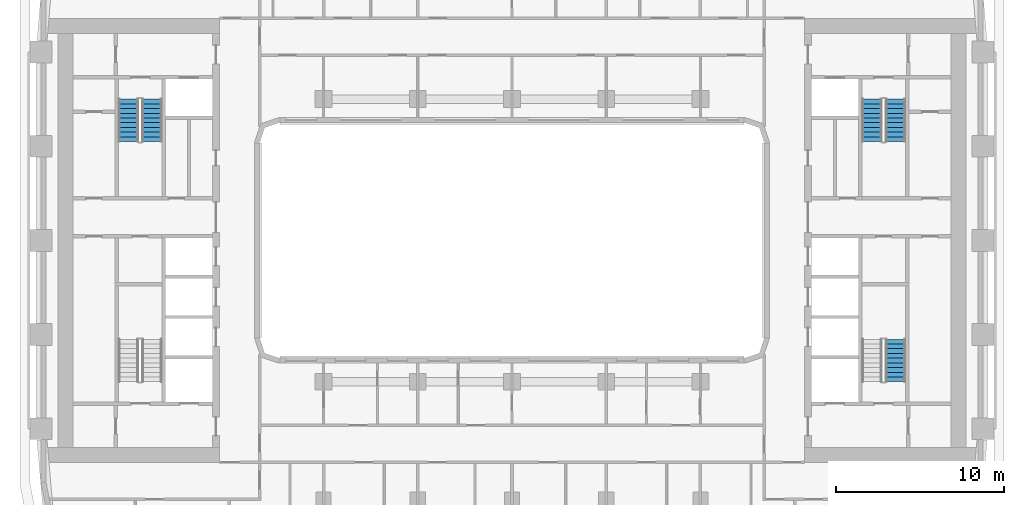
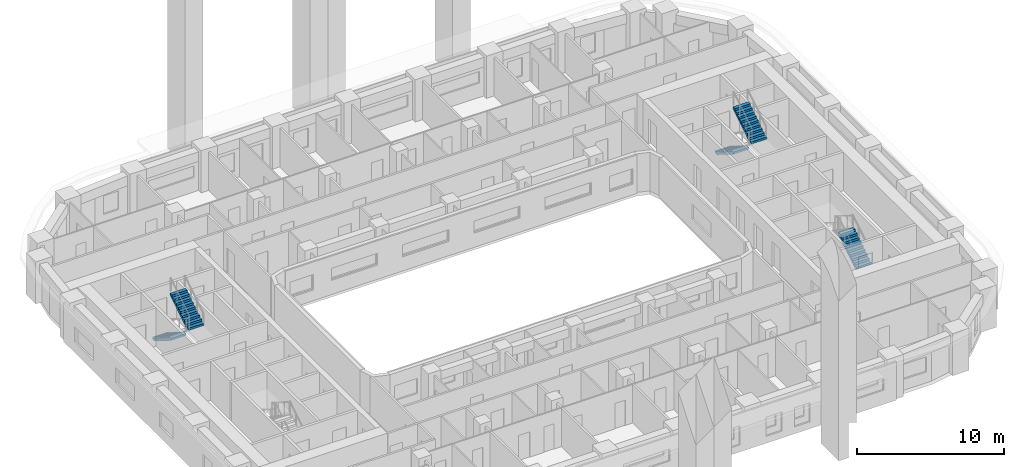
# One storey, part 11 of 19: 5 stair flights, 3 elements without a shape of their own.
"""IFC4 building model written with IfcOpenShell, lengths in metres."""

from ifc_helpers import new_model, si_unit, direction, frame, origin, place, context, subcontext, project, spatial, polyline, outline, extrude, material, type_object, element, aggregate, save


model = new_model("IFC4")

# Units and contexts
model_context = context("Model", 3, precision=1e-05, world=origin(), true_north=direction((0.0, 1.0)))
body_context = subcontext(model_context, "Body", "Model", "MODEL_VIEW")
ifc_project = project(units=[si_unit("LENGTHUNIT", "METRE"), si_unit("AREAUNIT", "SQUARE_METRE"), si_unit("VOLUMEUNIT", "CUBIC_METRE"), si_unit("PLANEANGLEUNIT", "RADIAN"), si_unit("MASSUNIT", "GRAM", prefix="KILO")], contexts=[model_context])

# Site, building, storey
site_placement = place(None, origin())
site = spatial("IfcSite", under=ifc_project, at=site_placement, CompositionType="ELEMENT")
building_placement = place(site_placement, origin())
building = spatial("IfcBuilding", under=site, at=building_placement, Name="Kiln Ring Residences", CompositionType="ELEMENT")
storey_placement = place(building_placement, frame((0.0, 0.0, 104.300048828125)))
storey = spatial("IfcBuildingStorey", under=building, at=storey_placement, Name="L26", CompositionType="ELEMENT", Elevation=104.300048828125)

# Stair, stair flights
ifc_material_1 = material(Name="Concrete C40/50", Category="concrete")
stair_type = type_object("IfcStairType", Name="CORE-STAIR", PredefinedType="HALF_TURN_STAIR", material=ifc_material_1)
placement = place(storey_placement, origin())
stair_1 = element("IfcStair", 1, at=placement, inside=storey, type_object=stair_type, Name="L26 stair W-STN", PredefinedType="HALF_TURN_STAIR")
ifc_material_2 = material(Name="Concrete C40/50", Category="concrete")
stair_flight_type = type_object("IfcStairFlightType", Name="CORE-STAIR-FLIGHT", PredefinedType="STRAIGHT", material=ifc_material_2)
stair_flight_1_placement = place(storey_placement, frame((-22.800048828125, 8.39990234375, 0.0), z_axis=(0.0, 0.0, 1.0), x_axis=(0.0, -1.0, 0.0)))
stair_flight_1 = element("IfcStairFlight", 2, at=stair_flight_1_placement, type_object=stair_flight_type, Name="W-STN flight 1", NumberOfRisers=10, NumberOfTreads=9, PredefinedType="STRAIGHT", RiserHeight=0.175, TreadLength=0.28, context=body_context, shape_type="SweptSolid", body=[
    extrude(outline(polyline([(0.0, 0.0), (0.0, 0.175048828125), (0.280029296875, 0.175048828125), (0.280029296875, 0.35009765625), (0.56005859375, 0.35009765625), (0.56005859375, 0.52490234375), (0.840087890625, 0.52490234375), (0.840087890625, 0.699951171875), (1.1201171875, 0.699951171875), (1.1201171875, 0.875), (1.39990234375, 0.875), (1.39990234375, 1.050048828125), (1.679931640625, 1.050048828125), (1.679931640625, 1.22509765625), (1.9599609375, 1.22509765625), (1.9599609375, 1.39990234375), (2.239990234375, 1.39990234375), (2.239990234375, 1.574951171875), (2.52001953125, 1.574951171875), (2.52001953125, 1.75), (2.52001953125, 1.398193359375), (0.28271484375, 0.0), (0.0, 0.0)])), frame((0.0, 0.60009765625, 0.0), z_axis=(0.0, -1.0, 0.0), x_axis=(1.0, 0.0, 0.0)), (0.0, 0.0, 1.0), 1.199951171875),
])
stair_flight_2_placement = place(storey_placement, frame((-21.39990234375, 5.8798828125, 1.75), z_axis=(0.0, 0.0, 1.0), x_axis=(0.0, 1.0, 0.0)))
stair_flight_2 = element("IfcStairFlight", 3, at=stair_flight_2_placement, type_object=stair_flight_type, Name="W-STN flight 2", NumberOfRisers=10, NumberOfTreads=9, PredefinedType="STRAIGHT", RiserHeight=0.175, TreadLength=0.28, context=body_context, shape_type="SweptSolid", body=[
    extrude(outline(polyline([(0.0, 0.0), (0.0, 0.175048828125), (0.280029296875, 0.175048828125), (0.280029296875, 0.35009765625), (0.56005859375, 0.35009765625), (0.56005859375, 0.52490234375), (0.840087890625, 0.52490234375), (0.840087890625, 0.699951171875), (1.1201171875, 0.699951171875), (1.1201171875, 0.875), (1.39990234375, 0.875), (1.39990234375, 1.050048828125), (1.679931640625, 1.050048828125), (1.679931640625, 1.22509765625), (1.9599609375, 1.22509765625), (1.9599609375, 1.39990234375), (2.239990234375, 1.39990234375), (2.239990234375, 1.574951171875), (2.52001953125, 1.574951171875), (2.52001953125, 1.75), (2.52001953125, 1.398193359375), (0.28271484375, 0.0), (0.0, 0.0)])), frame((0.0, 0.60009765625, 0.0), z_axis=(0.0, -1.0, 0.0), x_axis=(1.0, 0.0, 0.0)), (0.0, 0.0, 1.0), 1.199951171875),
])
aggregate(stair_1, [stair_flight_1, stair_flight_2])

stair_2 = element("IfcStair", 4, at=placement, inside=storey, type_object=stair_type, Name="L26 stair E-STN", PredefinedType="HALF_TURN_STAIR")
stair_flight_3_placement = place(storey_placement, frame((21.39990234375, 8.39990234375, 0.0), z_axis=(0.0, 0.0, 1.0), x_axis=(0.0, -1.0, 0.0)))
stair_flight_3 = element("IfcStairFlight", 5, at=stair_flight_3_placement, type_object=stair_flight_type, Name="E-STN flight 1", NumberOfRisers=10, NumberOfTreads=9, PredefinedType="STRAIGHT", RiserHeight=0.175, TreadLength=0.28, context=body_context, shape_type="SweptSolid", body=[
    extrude(outline(polyline([(0.0, 0.0), (0.0, 0.175048828125), (0.280029296875, 0.175048828125), (0.280029296875, 0.35009765625), (0.56005859375, 0.35009765625), (0.56005859375, 0.52490234375), (0.840087890625, 0.52490234375), (0.840087890625, 0.699951171875), (1.1201171875, 0.699951171875), (1.1201171875, 0.875), (1.39990234375, 0.875), (1.39990234375, 1.050048828125), (1.679931640625, 1.050048828125), (1.679931640625, 1.22509765625), (1.9599609375, 1.22509765625), (1.9599609375, 1.39990234375), (2.239990234375, 1.39990234375), (2.239990234375, 1.574951171875), (2.52001953125, 1.574951171875), (2.52001953125, 1.75), (2.52001953125, 1.398193359375), (0.28271484375, 0.0), (0.0, 0.0)])), frame((0.0, 0.60009765625, 0.0), z_axis=(0.0, -1.0, 0.0), x_axis=(1.0, 0.0, 0.0)), (0.0, 0.0, 1.0), 1.199951171875),
])
stair_flight_4_placement = place(storey_placement, frame((22.800048828125, 5.8798828125, 1.75), z_axis=(0.0, 0.0, 1.0), x_axis=(0.0, 1.0, 0.0)))
stair_flight_4 = element("IfcStairFlight", 6, at=stair_flight_4_placement, type_object=stair_flight_type, Name="E-STN flight 2", NumberOfRisers=10, NumberOfTreads=9, PredefinedType="STRAIGHT", RiserHeight=0.175, TreadLength=0.28, context=body_context, shape_type="SweptSolid", body=[
    extrude(outline(polyline([(0.0, 0.0), (0.0, 0.175048828125), (0.280029296875, 0.175048828125), (0.280029296875, 0.35009765625), (0.56005859375, 0.35009765625), (0.56005859375, 0.52490234375), (0.840087890625, 0.52490234375), (0.840087890625, 0.699951171875), (1.1201171875, 0.699951171875), (1.1201171875, 0.875), (1.39990234375, 0.875), (1.39990234375, 1.050048828125), (1.679931640625, 1.050048828125), (1.679931640625, 1.22509765625), (1.9599609375, 1.22509765625), (1.9599609375, 1.39990234375), (2.239990234375, 1.39990234375), (2.239990234375, 1.574951171875), (2.52001953125, 1.574951171875), (2.52001953125, 1.75), (2.52001953125, 1.398193359375), (0.28271484375, 0.0), (0.0, 0.0)])), frame((0.0, 0.60009765625, 0.0), z_axis=(0.0, -1.0, 0.0), x_axis=(1.0, 0.0, 0.0)), (0.0, 0.0, 1.0), 1.199951171875),
])
aggregate(stair_2, [stair_flight_3, stair_flight_4])

# Stair, stair flight
stair_3 = element("IfcStair", 7, at=placement, inside=storey, type_object=stair_type, Name="L26 stair E-STS", PredefinedType="HALF_TURN_STAIR")
stair_flight_5_placement = place(storey_placement, frame((22.800048828125, -8.39990234375, 0.0), z_axis=(0.0, 0.0, 1.0), x_axis=(0.0, 1.0, 0.0)))
stair_flight_5 = element("IfcStairFlight", 8, at=stair_flight_5_placement, type_object=stair_flight_type, Name="E-STS flight 1", NumberOfRisers=10, NumberOfTreads=9, PredefinedType="STRAIGHT", RiserHeight=0.175, TreadLength=0.28, context=body_context, shape_type="SweptSolid", body=[
    extrude(outline(polyline([(0.0, 0.0), (0.0, 0.175048828125), (0.280029296875, 0.175048828125), (0.280029296875, 0.35009765625), (0.56005859375, 0.35009765625), (0.56005859375, 0.52490234375), (0.840087890625, 0.52490234375), (0.840087890625, 0.699951171875), (1.1201171875, 0.699951171875), (1.1201171875, 0.875), (1.39990234375, 0.875), (1.39990234375, 1.050048828125), (1.679931640625, 1.050048828125), (1.679931640625, 1.22509765625), (1.9599609375, 1.22509765625), (1.9599609375, 1.39990234375), (2.239990234375, 1.39990234375), (2.239990234375, 1.574951171875), (2.52001953125, 1.574951171875), (2.52001953125, 1.75), (2.52001953125, 1.398193359375), (0.28271484375, 0.0), (0.0, 0.0)])), frame((0.0, 0.60009765625, 0.0), z_axis=(0.0, -1.0, 0.0), x_axis=(1.0, 0.0, 0.0)), (0.0, 0.0, 1.0), 1.199951171875),
])
aggregate(stair_3, [stair_flight_5])

save(model, "model.ifc")
